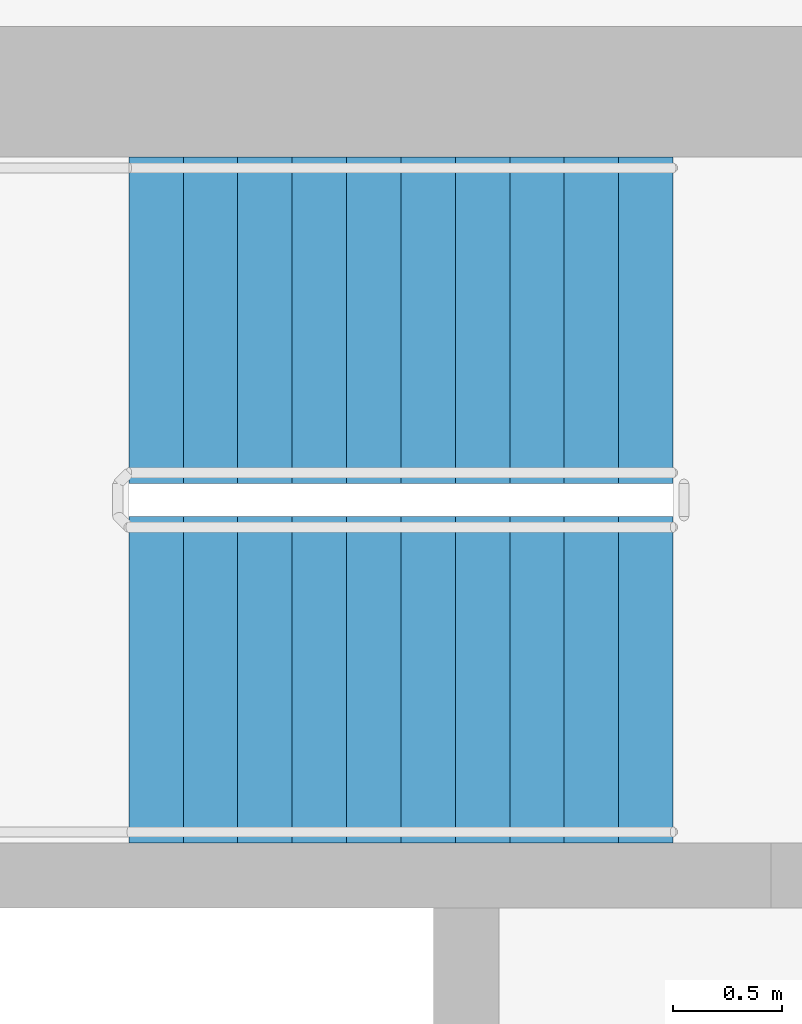
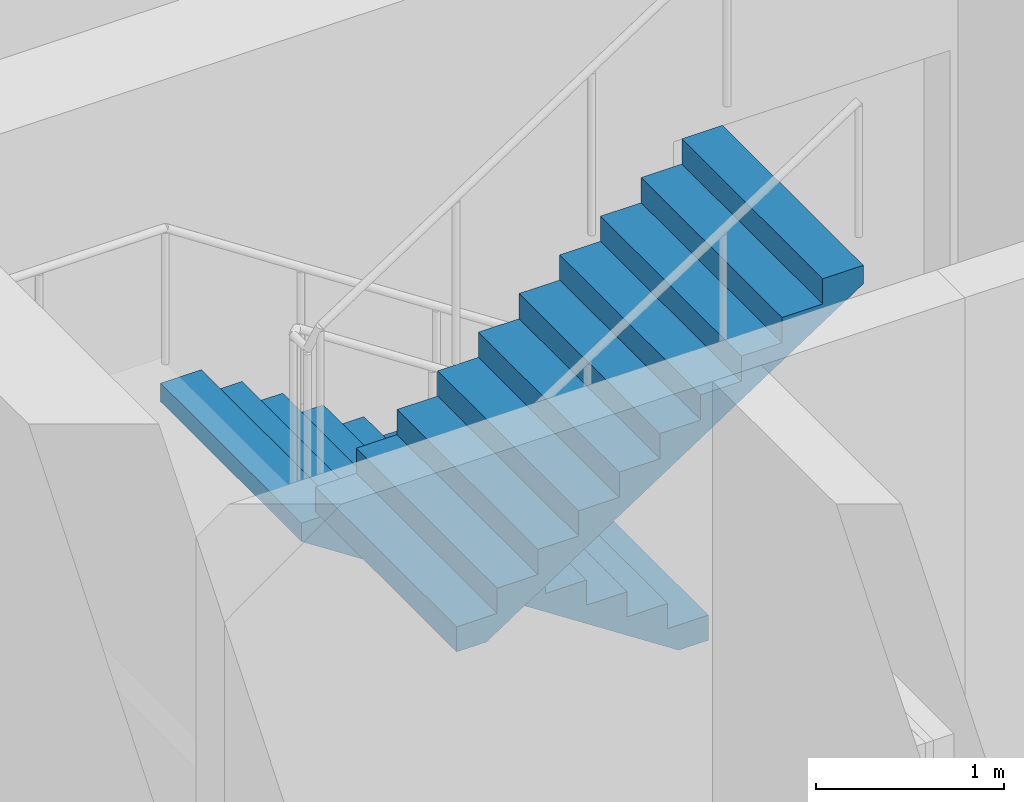
# One storey, part 11 of 12: 2 stair flights, 1 element without a shape of its own.
"""IFC4 building model written with IfcOpenShell, lengths in metres."""

import ifcopenshell
import ifcopenshell.guid

model = None  # the IFC model being written
_history = None  # IfcOwnerHistory: only IFC2X3 demands one
_inside = {}  # id of a spatial element -> (the spatial element, [elements in it])
_under = {}  # id of a project, library or spatial element -> (it, [spatial elements below it])
_declared = {}  # id of a project -> (the project, [libraries it declares])
_typed = {}  # id of a type object -> (the type object, [elements of that type])
_made_of = {}  # id of a material, layer set ... -> (it, [elements and type objects made of it])


def new_model(schema):
    """Start an empty IFC model of exactly this schema.

    Asked for "IFC4X3", IfcOpenShell would pick the latest addendum, in which some entities
    have other attributes; the version numbers below select the first issue.
    IFC2X3 requires an IfcOwnerHistory on every rooted entity: one is made here for all.
    """
    global model, _history
    if schema == "IFC4X3":
        model = ifcopenshell.file(schema_version=(4, 3, 0, 0))
    else:
        model = ifcopenshell.file(schema=schema)
    _inside.clear()
    _under.clear()
    _declared.clear()
    _typed.clear()
    _made_of.clear()
    _history = None
    if model.schema == "IFC2X3":
        org = make("IfcOrganization", Name="unknown")
        user = make(
            "IfcPersonAndOrganization",
            ThePerson=make("IfcPerson", FamilyName="unknown"),
            TheOrganization=org,
        )
        app = make(
            "IfcApplication",
            ApplicationDeveloper=org,
            Version="unknown",
            ApplicationFullName="unknown",
            ApplicationIdentifier="unknown",
        )
        _history = make(
            "IfcOwnerHistory",
            OwningUser=user,
            OwningApplication=app,
            ChangeAction="ADDED",
            CreationDate=0,
        )
    return model


def make(cls, **values):
    """One entity of the class cls with the attributes given. An attribute that is None is left unset."""
    return model.create_entity(
        cls, **{name: value for name, value in values.items() if value is not None}
    )


def rooted(cls, **values):
    """An entity with a GlobalId (a new one), such as an element, a storey or a relation."""
    return make(cls, GlobalId=ifcopenshell.guid.new(), OwnerHistory=_history, **values)


def si_unit(unit_type, name, prefix=None):
    """IfcSIUnit, for example si_unit("LENGTHUNIT", "METRE", prefix="MILLI")."""
    return make("IfcSIUnit", UnitType=unit_type, Prefix=prefix, Name=name)


def assignment(units):
    """IfcUnitAssignment: the units of a project."""
    return None if units is None else make("IfcUnitAssignment", Units=units)


def point(xyz):
    """IfcCartesianPoint."""
    return None if xyz is None else make("IfcCartesianPoint", Coordinates=xyz)


def direction(xyz):
    """IfcDirection."""
    return None if xyz is None else make("IfcDirection", DirectionRatios=xyz)


def frame(location, z_axis=None, x_axis=None):
    """IfcAxis2Placement3D, a coordinate frame: its origin and axes. An axis left out is left unset."""
    return make(
        "IfcAxis2Placement3D",
        Location=point(location),
        Axis=direction(z_axis),
        RefDirection=direction(x_axis),
    )


def origin():
    """The frame at (0, 0, 0) with its axes left unset."""
    return frame((0.0, 0.0, 0.0))


def place(relative_to, where):
    """IfcLocalPlacement: puts the frame where relative to a parent placement (None: the world)."""
    return make(
        "IfcLocalPlacement", PlacementRelTo=relative_to, RelativePlacement=where
    )


def context(
    kind, dimensions, precision=None, world=None, true_north=None, identifier=None
):
    """IfcGeometricRepresentationContext, for example the 3D "Model" context."""
    return make(
        "IfcGeometricRepresentationContext",
        ContextIdentifier=identifier,
        ContextType=kind,
        CoordinateSpaceDimension=dimensions,
        Precision=precision,
        WorldCoordinateSystem=world,
        TrueNorth=true_north,
    )


def subcontext(parent, identifier, kind, view, scale=None):
    """IfcGeometricRepresentationSubContext, for example "Body" below "Model"."""
    return make(
        "IfcGeometricRepresentationSubContext",
        ContextIdentifier=identifier,
        ContextType=kind,
        ParentContext=parent,
        TargetScale=scale,
        TargetView=view,
    )


def project(units=None, contexts=None):
    """IfcProject with its units and contexts."""
    return rooted(
        "IfcProject",
        Name="project",
        RepresentationContexts=contexts,
        UnitsInContext=assignment(units),
    )


def spatial(cls, under=None, at=None, **own):
    """A site, building, storey or space (cls), placed at a placement, below another one or the project."""
    s = rooted(cls, ObjectPlacement=at, **own)
    if under is not None:
        _under.setdefault(under.id(), (under, []))[1].append(s)
    return s


def polyline(points):
    """IfcPolyline through the points."""
    return make("IfcPolyline", Points=[point(p) for p in points])


def outline(outer, holes=None, kind="AREA"):
    """IfcArbitraryClosedProfileDef: a profile drawn as a closed curve; with holes, ...WithVoids."""
    if holes is None:
        return make("IfcArbitraryClosedProfileDef", ProfileType=kind, OuterCurve=outer)
    return make(
        "IfcArbitraryProfileDefWithVoids",
        ProfileType=kind,
        OuterCurve=outer,
        InnerCurves=holes,
    )


def extrude(swept, where, along, depth):
    """IfcExtrudedAreaSolid: the profile swept, set in the frame where, extruded along a direction by depth."""
    return make(
        "IfcExtrudedAreaSolid",
        SweptArea=swept,
        Position=where,
        ExtrudedDirection=direction(along),
        Depth=depth,
    )


def shape(context_of_items, identifier, shape_type, items):
    """IfcShapeRepresentation: the items that make up one representation, for example the "Body"."""
    return make(
        "IfcShapeRepresentation",
        ContextOfItems=context_of_items,
        RepresentationIdentifier=identifier,
        RepresentationType=shape_type,
        Items=items,
    )


def material(Name=None, Category=None):
    """IfcMaterial."""
    return make("IfcMaterial", Name=Name, Category=Category)


def made_of(thing, what):
    """Note that an element or type object is made of a material, layer set ...; save() writes the relation."""
    if what is not None:
        _made_of.setdefault(what.id(), (what, []))[1].append(thing)
    return thing


def type_object(cls, material=None, **own):
    """A type object (cls), such as IfcWallType, which elements share."""
    return made_of(rooted(cls, **own), material)


def element(
    cls,
    number,
    at=None,
    inside=None,
    cuts=None,
    type_object=None,
    material=None,
    context=None,
    identifier="Body",
    shape_type=None,
    held_by="IfcProductDefinitionShape",
    body=None,
    shapes=None,
    **own,
):
    """One element of the class cls, such as IfcWall. Its Tag is "e" and its number.

    at: its placement. inside: the storey or other place that contains it. cuts: it is an
    opening in that element (IfcRelVoidsElement). A single representation is given by context,
    identifier, shape_type and body (its items); several are given by shapes. held_by: the class
    of the entity that holds the representations. save() writes the other relations.
    """
    e = rooted(cls, Tag="e%d" % number, ObjectPlacement=at, **own)
    if body is not None:
        shapes = [shape(context, identifier, shape_type, body)]
    if shapes is not None:
        e.Representation = make(held_by, Representations=shapes)
    if inside is not None:
        _inside.setdefault(inside.id(), (inside, []))[1].append(e)
    if cuts is not None:
        rooted(
            "IfcRelVoidsElement", RelatingBuildingElement=cuts, RelatedOpeningElement=e
        )
    if type_object is not None:
        _typed.setdefault(type_object.id(), (type_object, []))[1].append(e)
    return made_of(e, material)


def aggregate(whole, parts):
    """IfcRelAggregates: a whole, such as a stair, and the parts it consists of."""
    return rooted("IfcRelAggregates", RelatingObject=whole, RelatedObjects=parts)


def save(model, path):
    """Write the relations noted so far, then the file.

    IfcRelAggregates (storeys below a building ...), IfcRelContainedInSpatialStructure (elements
    in a storey), IfcRelDefinesByType, IfcRelAssociatesMaterial and IfcRelDeclares: one each for
    every whole, place, type object, material and project.
    """
    for whole, parts in _under.values():
        aggregate(whole, parts)
    for where, things in _inside.values():
        rooted(
            "IfcRelContainedInSpatialStructure",
            RelatedElements=things,
            RelatingStructure=where,
        )
    for kind, things in _typed.values():
        rooted("IfcRelDefinesByType", RelatedObjects=things, RelatingType=kind)
    for what, things in _made_of.values():
        rooted("IfcRelAssociatesMaterial", RelatedObjects=things, RelatingMaterial=what)
    for by, libraries in _declared.values():
        rooted("IfcRelDeclares", RelatingContext=by, RelatedDefinitions=libraries)
    model.write(path)


model = new_model("IFC4")

# Units and contexts
model_context = context("Model", 3, precision=1e-05, world=origin(), true_north=direction((0.0, 1.0)))
body_context = subcontext(model_context, "Body", "Model", "MODEL_VIEW")
ifc_project = project(units=[si_unit("LENGTHUNIT", "METRE"), si_unit("AREAUNIT", "SQUARE_METRE"), si_unit("VOLUMEUNIT", "CUBIC_METRE"), si_unit("PLANEANGLEUNIT", "RADIAN"), si_unit("MASSUNIT", "GRAM", prefix="KILO")], contexts=[model_context])

# Site, building, storey
site_placement = place(None, origin())
site = spatial("IfcSite", under=ifc_project, at=site_placement, CompositionType="ELEMENT")
building_placement = place(site_placement, origin())
building = spatial("IfcBuilding", under=site, at=building_placement, Name="Tracery Tower", CompositionType="ELEMENT")
storey_placement = place(building_placement, frame((0.0, 0.0, 327.0)))
storey = spatial("IfcBuildingStorey", under=building, at=storey_placement, Name="L85", CompositionType="ELEMENT", Elevation=327.0)

# Stair, stair flights
ifc_material_1 = material(Name="Concrete C32/40", Category="concrete")
stair_type = type_object("IfcStairType", Name="Core stair 22 risers", PredefinedType="HALF_TURN_STAIR", material=ifc_material_1)
stair_placement = place(storey_placement, origin())
stair = element("IfcStair", 1, at=stair_placement, inside=storey, type_object=stair_type, Name="L85 stair ST3", PredefinedType="HALF_TURN_STAIR")
ifc_material_2 = material(Name="Concrete C32/40", Category="concrete")
stair_flight_type = type_object("IfcStairFlightType", Name="Core stair flight 11 risers", PredefinedType="STRAIGHT", material=ifc_material_2)
stair_flight_1_placement = place(storey_placement, frame((-4.800048828125, 5.64990234375, 0.0), z_axis=(0.0, 0.0, 1.0), x_axis=(-1.0, 0.0, 0.0)))
stair_flight_1 = element("IfcStairFlight", 2, at=stair_flight_1_placement, type_object=stair_flight_type, Name="ST3 flight 1", NumberOfRisers=11, NumberOfTreads=10, PredefinedType="STRAIGHT", RiserHeight=0.163636364, TreadLength=0.25, context=body_context, shape_type="SweptSolid", body=[
    extrude(outline(polyline([(0.0, 0.0), (0.0, 0.002685546875), (0.0, 0.00537109375), (0.0, 0.008056640625), (0.0, 0.0107421875), (0.0, 0.013427734375), (0.0, 0.01611328125), (0.0, 0.018798828125), (0.0, 0.021484375), (0.0, 0.024169921875), (0.0, 0.02685546875), (0.0, 0.029541015625), (0.0, 0.0322265625), (0.0, 0.034912109375), (0.0, 0.03759765625), (0.0, 0.040283203125), (0.0, 0.04296875), (0.0, 0.045654296875), (0.0, 0.04833984375), (0.0, 0.051025390625), (0.0, 0.0537109375), (0.0, 0.056396484375), (0.0, 0.05908203125), (0.0, 0.061767578125), (0.0, 0.064453125), (0.0, 0.067138671875), (0.0, 0.06982421875), (0.0, 0.072509765625), (0.0, 0.0751953125), (0.0, 0.077880859375), (0.0, 0.08056640625), (0.0, 0.083251953125), (0.0, 0.0859375), (0.0, 0.088623046875), (0.0, 0.09130859375), (0.0, 0.093994140625), (0.0, 0.0966796875), (0.0, 0.099365234375), (0.0, 0.10205078125), (0.0, 0.104736328125), (0.0, 0.107421875), (0.0, 0.10986328125), (0.0, 0.112548828125), (0.0, 0.115234375), (0.0, 0.117919921875), (0.0, 0.12060546875), (0.0, 0.123291015625), (0.0, 0.1259765625), (0.0, 0.128662109375), (0.0, 0.13134765625), (0.0, 0.134033203125), (0.0, 0.13671875), (0.0, 0.139404296875), (0.0, 0.14208984375), (0.0, 0.144775390625), (0.0, 0.1474609375), (0.0, 0.150146484375), (0.0, 0.15283203125), (0.0, 0.155517578125), (0.0, 0.158203125), (0.0, 0.160888671875), (0.0, 0.16357421875), (0.25, 0.16357421875), (0.25, 0.327392578125), (0.5, 0.327392578125), (0.5, 0.490966796875), (0.75, 0.490966796875), (0.75, 0.654541015625), (1.0, 0.654541015625), (1.0, 0.818115234375), (1.25, 0.818115234375), (1.25, 0.98193359375), (1.5, 0.98193359375), (1.5, 1.1455078125), (1.75, 1.1455078125), (1.75, 1.30908203125), (2.0, 1.30908203125), (2.0, 1.47265625), (2.25, 1.47265625), (2.25, 1.636474609375), (2.5, 1.636474609375), (2.5, 1.634521484375), (2.5, 1.63232421875), (2.5, 1.63037109375), (2.5, 1.62841796875), (2.5, 1.62646484375), (2.5, 1.62451171875), (2.5, 1.62255859375), (2.5, 1.62060546875), (2.5, 1.61865234375), (2.5, 1.61669921875), (2.5, 1.61474609375), (2.5, 1.61279296875), (2.5, 1.61083984375), (2.5, 1.60888671875), (2.5, 1.60693359375), (2.5, 1.60498046875), (2.5, 1.60302734375), (2.5, 1.60107421875), (2.5, 1.59912109375), (2.5, 1.59716796875), (2.5, 1.59521484375), (2.5, 1.59326171875), (2.5, 1.59130859375), (2.5, 1.58935546875), (2.5, 1.58740234375), (2.5, 1.58544921875), (2.5, 1.58349609375), (2.5, 1.58154296875), (2.5, 1.57958984375), (2.5, 1.57763671875), (2.5, 1.57568359375), (2.5, 1.573486328125), (2.5, 1.571533203125), (2.5, 1.569580078125), (2.5, 1.567626953125), (2.5, 1.565673828125), (2.5, 1.563720703125), (2.5, 1.561767578125), (2.5, 1.559814453125), (2.5, 1.557861328125), (2.5, 1.555908203125), (2.5, 1.553955078125), (2.5, 1.552001953125), (2.5, 1.550048828125), (2.5, 1.548095703125), (2.5, 1.546142578125), (2.5, 1.544189453125), (2.5, 1.542236328125), (2.5, 1.540283203125), (2.5, 1.538330078125), (2.5, 1.536376953125), (2.5, 1.534423828125), (2.5, 1.532470703125), (2.5, 1.530517578125), (2.5, 1.528564453125), (2.5, 1.526611328125), (2.5, 1.524658203125), (2.5, 1.522705078125), (2.5, 1.520751953125), (2.5, 1.518798828125), (2.5, 1.516845703125), (0.182861328125, 0.0), (0.0, 0.0)])), frame((0.0, 0.75, 0.0), z_axis=(0.0, -1.0, 0.0), x_axis=(1.0, 0.0, 0.0)), (0.0, 0.0, 1.0), 1.5),
])
stair_flight_2_placement = place(storey_placement, frame((-7.300048828125, 4.0, 1.800048828125), z_axis=(0.0, 0.0, 1.0), x_axis=(1.0, 0.0, 0.0)))
stair_flight_2 = element("IfcStairFlight", 3, at=stair_flight_2_placement, type_object=stair_flight_type, Name="ST3 flight 2", NumberOfRisers=11, NumberOfTreads=10, PredefinedType="STRAIGHT", RiserHeight=0.163636364, TreadLength=0.25, context=body_context, shape_type="SweptSolid", body=[
    extrude(outline(polyline([(0.0, 0.0), (0.0, 0.002685546875), (0.0, 0.00537109375), (0.0, 0.008056640625), (0.0, 0.0107421875), (0.0, 0.013427734375), (0.0, 0.01611328125), (0.0, 0.018798828125), (0.0, 0.021484375), (0.0, 0.024169921875), (0.0, 0.02685546875), (0.0, 0.029541015625), (0.0, 0.0322265625), (0.0, 0.034912109375), (0.0, 0.03759765625), (0.0, 0.040283203125), (0.0, 0.04296875), (0.0, 0.045654296875), (0.0, 0.04833984375), (0.0, 0.051025390625), (0.0, 0.0537109375), (0.0, 0.056396484375), (0.0, 0.05908203125), (0.0, 0.061767578125), (0.0, 0.064453125), (0.0, 0.067138671875), (0.0, 0.06982421875), (0.0, 0.072509765625), (0.0, 0.0751953125), (0.0, 0.077880859375), (0.0, 0.08056640625), (0.0, 0.083251953125), (0.0, 0.0859375), (0.0, 0.088623046875), (0.0, 0.09130859375), (0.0, 0.093994140625), (0.0, 0.0966796875), (0.0, 0.099365234375), (0.0, 0.10205078125), (0.0, 0.104736328125), (0.0, 0.107421875), (0.0, 0.10986328125), (0.0, 0.112548828125), (0.0, 0.115234375), (0.0, 0.117919921875), (0.0, 0.12060546875), (0.0, 0.123291015625), (0.0, 0.1259765625), (0.0, 0.128662109375), (0.0, 0.13134765625), (0.0, 0.134033203125), (0.0, 0.13671875), (0.0, 0.139404296875), (0.0, 0.14208984375), (0.0, 0.144775390625), (0.0, 0.1474609375), (0.0, 0.150146484375), (0.0, 0.15283203125), (0.0, 0.155517578125), (0.0, 0.158203125), (0.0, 0.160888671875), (0.0, 0.16357421875), (0.25, 0.16357421875), (0.25, 0.327392578125), (0.5, 0.327392578125), (0.5, 0.490966796875), (0.75, 0.490966796875), (0.75, 0.654541015625), (1.0, 0.654541015625), (1.0, 0.818115234375), (1.25, 0.818115234375), (1.25, 0.98193359375), (1.5, 0.98193359375), (1.5, 1.1455078125), (1.75, 1.1455078125), (1.75, 1.30908203125), (2.0, 1.30908203125), (2.0, 1.47265625), (2.25, 1.47265625), (2.25, 1.636474609375), (2.5, 1.636474609375), (2.5, 1.634521484375), (2.5, 1.63232421875), (2.5, 1.63037109375), (2.5, 1.62841796875), (2.5, 1.62646484375), (2.5, 1.62451171875), (2.5, 1.62255859375), (2.5, 1.62060546875), (2.5, 1.61865234375), (2.5, 1.61669921875), (2.5, 1.61474609375), (2.5, 1.61279296875), (2.5, 1.61083984375), (2.5, 1.60888671875), (2.5, 1.60693359375), (2.5, 1.60498046875), (2.5, 1.60302734375), (2.5, 1.60107421875), (2.5, 1.59912109375), (2.5, 1.59716796875), (2.5, 1.59521484375), (2.5, 1.59326171875), (2.5, 1.59130859375), (2.5, 1.58935546875), (2.5, 1.58740234375), (2.5, 1.58544921875), (2.5, 1.58349609375), (2.5, 1.58154296875), (2.5, 1.57958984375), (2.5, 1.57763671875), (2.5, 1.57568359375), (2.5, 1.573486328125), (2.5, 1.571533203125), (2.5, 1.569580078125), (2.5, 1.567626953125), (2.5, 1.565673828125), (2.5, 1.563720703125), (2.5, 1.561767578125), (2.5, 1.559814453125), (2.5, 1.557861328125), (2.5, 1.555908203125), (2.5, 1.553955078125), (2.5, 1.552001953125), (2.5, 1.550048828125), (2.5, 1.548095703125), (2.5, 1.546142578125), (2.5, 1.544189453125), (2.5, 1.542236328125), (2.5, 1.540283203125), (2.5, 1.538330078125), (2.5, 1.536376953125), (2.5, 1.534423828125), (2.5, 1.532470703125), (2.5, 1.530517578125), (2.5, 1.528564453125), (2.5, 1.526611328125), (2.5, 1.524658203125), (2.5, 1.522705078125), (2.5, 1.520751953125), (2.5, 1.518798828125), (2.5, 1.516845703125), (0.182861328125, 0.0), (0.0, 0.0)])), frame((0.0, 0.75, 0.0), z_axis=(0.0, -1.0, 0.0), x_axis=(1.0, 0.0, 0.0)), (0.0, 0.0, 1.0), 1.5),
])
aggregate(stair, [stair_flight_1, stair_flight_2])

save(model, "model.ifc")
